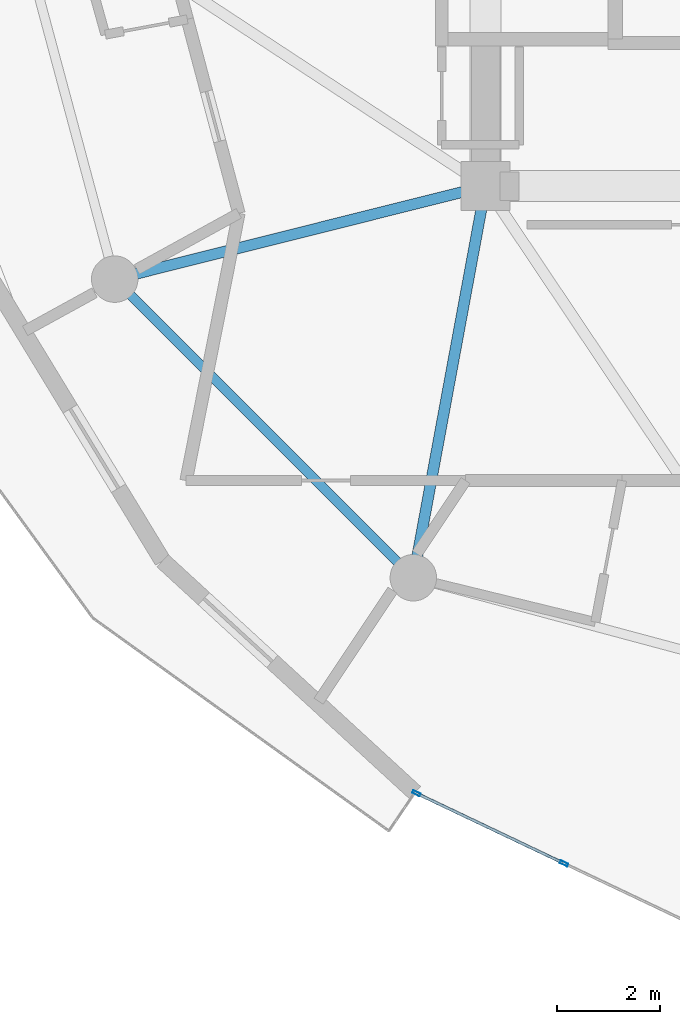
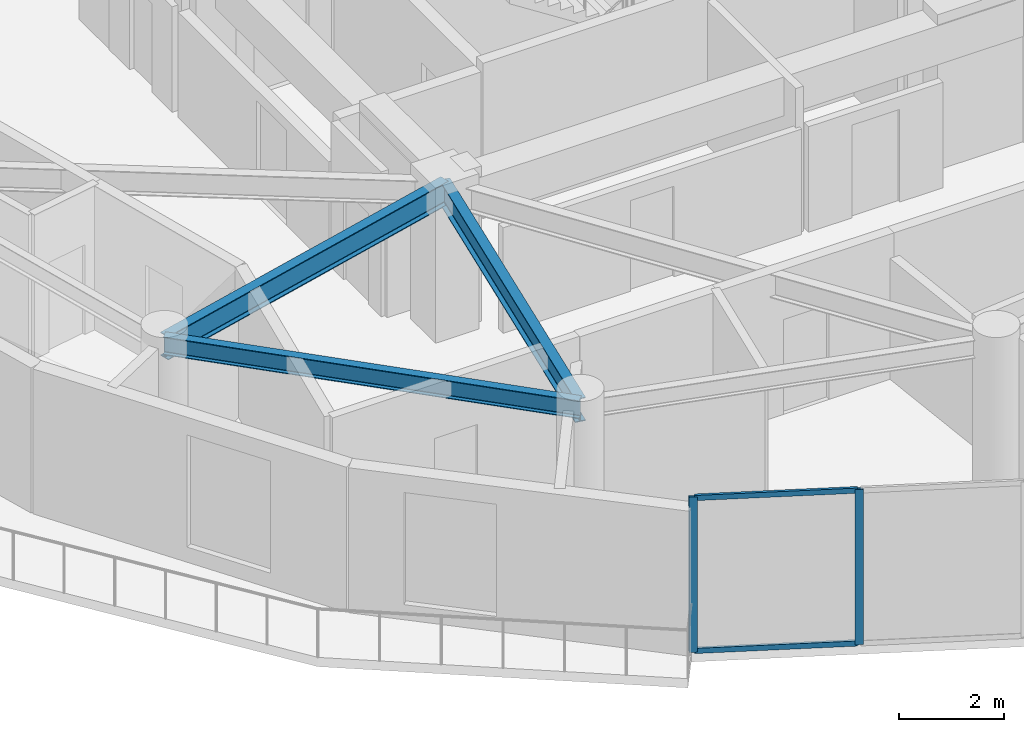
# One storey, part 2 of 20: 4 members, 3 beams, 1 element without a shape of its own.
"""IFC4 building model written with IfcOpenShell, lengths in metres."""

from ifc_helpers import new_model, si_unit, direction, frame, origin, origin_2d, place, context, subcontext, project, spatial, hollow_rectangle, i_section, extrude, source, transform, mapped, material, layer, layer_set, material_profile, profile_set, type_object, element, aggregate, save


model = new_model("IFC4")

# Units and contexts
model_context = context("Model", 3, precision=1e-05, world=origin(), true_north=direction((0.0, 1.0)))
body_context = subcontext(model_context, "Body", "Model", "MODEL_VIEW")
ifc_project = project(units=[si_unit("LENGTHUNIT", "METRE"), si_unit("AREAUNIT", "SQUARE_METRE"), si_unit("VOLUMEUNIT", "CUBIC_METRE"), si_unit("PLANEANGLEUNIT", "RADIAN"), si_unit("MASSUNIT", "GRAM", prefix="KILO")], contexts=[model_context])

# Site, building, storey
site_placement = place(None, origin())
site = spatial("IfcSite", under=ifc_project, at=site_placement, CompositionType="ELEMENT")
building_placement = place(site_placement, origin())
building = spatial("IfcBuilding", under=site, at=building_placement, Name="Solvirekh Grand Hotel", CompositionType="ELEMENT")
storey_placement = place(building_placement, frame((0.0, 0.0, 209.199951171875)))
storey = spatial("IfcBuildingStorey", under=building, at=storey_placement, Name="L54", CompositionType="ELEMENT", Elevation=209.199951171875)

# Beams
ifc_material_1 = material(Name="Steel S355", Category="steel")
ifc_material_profile_1 = material_profile(ifc_material_1, i_section(OverallWidth=0.2119140625, OverallDepth=0.5439453125, WebThickness=0.011962890625, FlangeThickness=0.01904296875, FilletRadius=0.013916015625, at=origin_2d()), Name="W530X123")
ifc_profile_set_1 = profile_set([ifc_material_profile_1], Name="Steel S355")
beam_type_1 = type_object("IfcBeamType", Name="Beam_Radial_W530H", PredefinedType="BEAM", material=ifc_profile_set_1)
beam_1_placement = place(storey_placement, frame((-6.5, -6.10009765625, 3.088134765625), z_axis=(-0.970014367692, -0.243047580675, 0.0), x_axis=(0.243047580675, -0.970014367692, 0.0)))
element("IfcBeam", 1, at=beam_1_placement, inside=storey, type_object=beam_type_1, Name="L54 radial floor beam R08", PredefinedType="BEAM", context=body_context, shape_type="SweptSolid", body=[
    extrude(i_section(OverallWidth=0.2119140625, OverallDepth=0.5439453125, WebThickness=0.011962890625, FlangeThickness=0.01904296875, FilletRadius=0.013916015625, at=origin_2d()), origin(), (0.0, 0.0, 1.0), 7.4052734375),
])
beam_2_placement = place(storey_placement, frame((-6.5, -6.10009765625, 3.088134765625), z_axis=(-0.181542769111, -0.983383049978, 0.0), x_axis=(0.983383049978, -0.181542769111, 0.0)))
element("IfcBeam", 2, at=beam_2_placement, inside=storey, type_object=beam_type_1, Name="L54 radial floor beam R09", PredefinedType="BEAM", context=body_context, shape_type="SweptSolid", body=[
    extrude(i_section(OverallWidth=0.2119140625, OverallDepth=0.5439453125, WebThickness=0.011962890625, FlangeThickness=0.01904296875, FilletRadius=0.013916015625, at=origin_2d()), origin(), (0.0, 0.0, 1.0), 7.711181640625),
])
ifc_material_profile_2 = material_profile(ifc_material_1, i_section(OverallWidth=0.180908203125, OverallDepth=0.4169921875, WebThickness=0.010009765625, FlangeThickness=0.01611328125, FilletRadius=0.011962890625, at=origin_2d()), Name="W410X85")
ifc_profile_set_2 = profile_set([ifc_material_profile_2], Name="Steel S355")
beam_type_2 = type_object("IfcBeamType", Name="Spandrel_Ring_W410", PredefinedType="SPANDREL", material=ifc_profile_set_2)
beam_3_placement = place(storey_placement, frame((-13.68310546875, -7.89990234375, 3.152099609375), z_axis=(0.707106781187, -0.707106781187, 0.0), x_axis=(0.707106781187, 0.707106781187, 0.0)))
element("IfcBeam", 3, at=beam_3_placement, inside=storey, type_object=beam_type_2, Name="L54 perimeter spandrel beam 8", PredefinedType="SPANDREL", context=body_context, shape_type="SweptSolid", body=[
    extrude(i_section(OverallWidth=0.180908203125, OverallDepth=0.4169921875, WebThickness=0.010009765625, FlangeThickness=0.01611328125, FilletRadius=0.011962890625, at=origin_2d()), origin(), (0.0, 0.0, 1.0), 8.1787109375),
])

# Curtain wall, members
ifc_material_2 = material(Name="Anodized Bronze Aluminium 6063-T6", Category="aluminium")
ifc_layer = layer(ifc_material_2, 0.159912109375)
ifc_layer_set = layer_set([ifc_layer], Name="Anodized Bronze Aluminium 6063-T6")
curtain_wall_type = type_object("IfcCurtainWallType", Name="CW_Sys4_HighZoneFlushBronzeCW", PredefinedType="NOTDEFINED", material=ifc_layer_set)
curtain_wall_placement = place(storey_placement, origin())
curtain_wall = element("IfcCurtainWall", 4, at=curtain_wall_placement, inside=storey, type_object=curtain_wall_type, Name="L54 unitised bronze-glass curtain wall CW-L54-C18", PredefinedType="NOTDEFINED")
ifc_material_profile_3 = material_profile(ifc_material_2, hollow_rectangle(XDim=0.06005859375, YDim=0.159912109375, WallThickness=0.0048828125, at=origin_2d()), Name="ALU RHS 160X60X5")
ifc_profile_set_3 = profile_set([ifc_material_profile_3], Name="Anodized Bronze Aluminium 6063-T6")
member_type_1 = type_object("IfcMemberType", Name="CWMullion_Sys4", PredefinedType="MULLION", material=ifc_profile_set_3)
shared_shape_1 = source(origin(), body_context, "Body", "SweptSolid", [
    extrude(hollow_rectangle(XDim=0.06005859375, YDim=0.159912109375, WallThickness=0.0048828125, at=origin_2d()), origin(), (0.0, 0.0, 1.0), 3.60009765625),
])
member_1_placement = place(storey_placement, frame((-7.83984375, -17.85693359375, 0.0), z_axis=(0.0, 0.0, 1.0), x_axis=(0.429344138522, 0.90314096946, 0.0)))
member_1 = element("IfcMember", 5, at=member_1_placement, type_object=member_type_1, Name="U04 mullion 1", PredefinedType="MULLION", context=body_context, shape_type="MappedRepresentation", body=[
    mapped(shared_shape_1, transform((0.0, 0.0, 0.0), x_axis=(1.0, 0.0, 0.0), y_axis=(0.0, 1.0, 0.0), z_axis=(0.0, 0.0, 1.0), scale=1.0)),
])
member_2_placement = place(storey_placement, frame((-4.98193359375, -19.215576171875, 0.0), z_axis=(0.0, 0.0, 1.0), x_axis=(0.429344138522, 0.90314096946, 0.0)))
member_2 = element("IfcMember", 6, at=member_2_placement, type_object=member_type_1, Name="U04 mullion 2", PredefinedType="MULLION", context=body_context, shape_type="MappedRepresentation", body=[
    mapped(shared_shape_1, transform((0.0, 0.0, 0.0), x_axis=(1.0, 0.0, 0.0), y_axis=(0.0, 1.0, 0.0), z_axis=(0.0, 0.0, 1.0), scale=1.0)),
])
ifc_material_profile_4 = material_profile(ifc_material_2, hollow_rectangle(XDim=0.054931640625, YDim=0.1201171875, WallThickness=0.00390625, at=origin_2d()), Name="ALU RHS 120X55X4")
ifc_profile_set_4 = profile_set([ifc_material_profile_4], Name="Anodized Bronze Aluminium 6063-T6")
member_type_2 = type_object("IfcMemberType", Name="CWTransom_Sys4", PredefinedType="USERDEFINED", material=ifc_profile_set_4)
shared_shape_2 = source(origin(), body_context, "Body", "SweptSolid", [
    extrude(hollow_rectangle(XDim=0.054931640625, YDim=0.1201171875, WallThickness=0.00390625, at=origin_2d()), origin(), (0.0, 0.0, 1.0), 3.104248046875),
])
member_3_placement = place(storey_placement, frame((-7.812744140625, -17.869873046875, 0.027587890625), z_axis=(0.903152501224, -0.429319880197, 0.0), x_axis=(0.429319880197, 0.903152501224, 0.0)))
member_3 = element("IfcMember", 7, at=member_3_placement, type_object=member_type_2, Name="U04 transom 1.1", ObjectType="TRANSOM", PredefinedType="USERDEFINED", context=body_context, shape_type="MappedRepresentation", body=[
    mapped(shared_shape_2, transform((0.0, 0.0, 0.0), x_axis=(1.0, 0.0, 0.0), y_axis=(0.0, 1.0, 0.0), z_axis=(0.0, 0.0, 1.0), scale=1.0)),
])
member_4_placement = place(storey_placement, frame((-7.812744140625, -17.869873046875, 3.572509765625), z_axis=(0.903152501224, -0.429319880197, 0.0), x_axis=(0.429319880197, 0.903152501224, 0.0)))
member_4 = element("IfcMember", 8, at=member_4_placement, type_object=member_type_2, Name="U04 transom 1.2", ObjectType="TRANSOM", PredefinedType="USERDEFINED", context=body_context, shape_type="MappedRepresentation", body=[
    mapped(shared_shape_2, transform((0.0, 0.0, 0.0), x_axis=(1.0, 0.0, 0.0), y_axis=(0.0, 1.0, 0.0), z_axis=(0.0, 0.0, 1.0), scale=1.0)),
])
aggregate(curtain_wall, [member_1, member_2, member_3, member_4])

save(model, "model.ifc")
